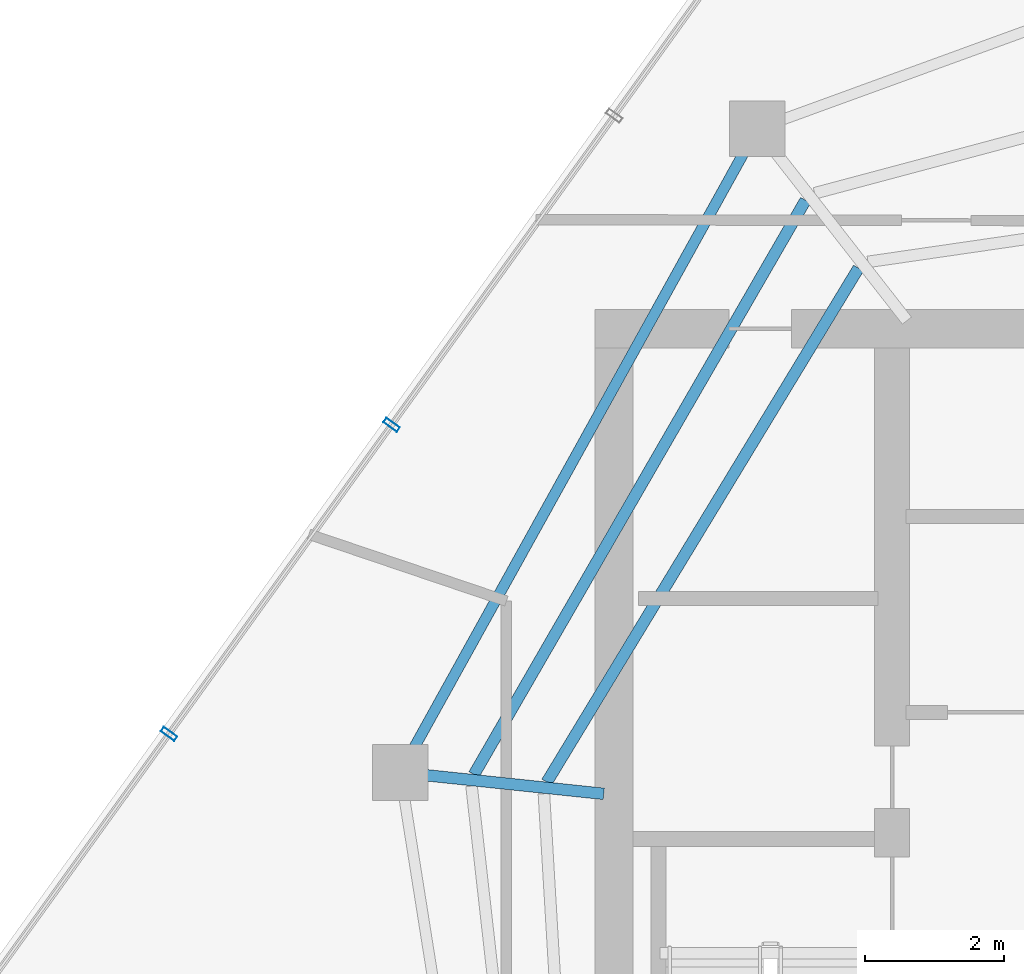
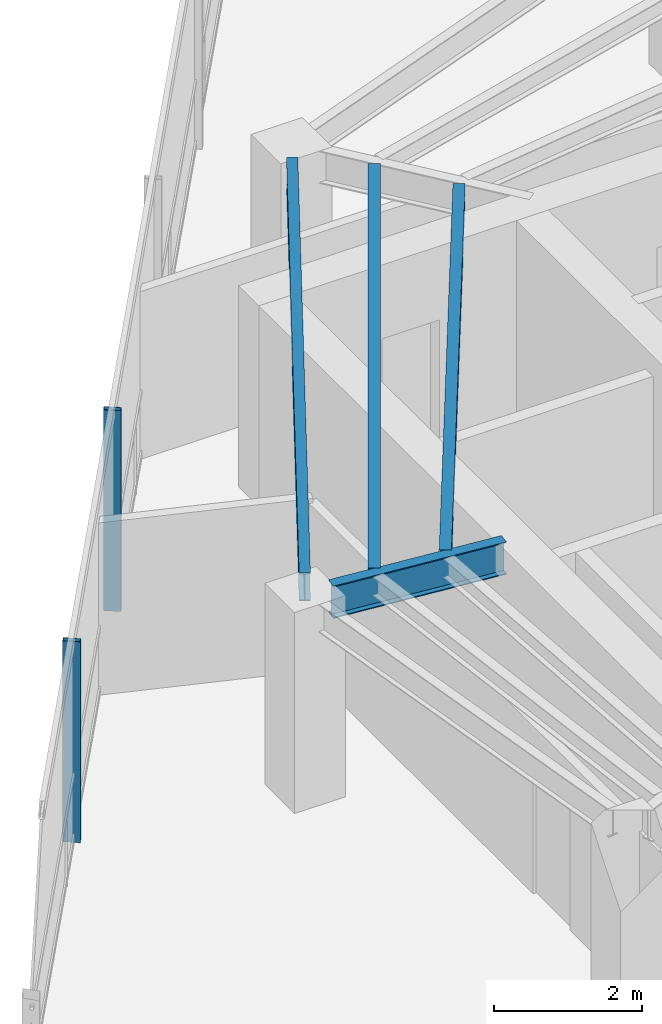
# One storey, part 6 of 18: 4 beams, 2 members, 1 element without a shape of its own.
"""IFC4 building model written with IfcOpenShell, lengths in metres."""

from ifc_helpers import new_model, si_unit, direction, frame, origin, origin_2d, place, context, subcontext, project, spatial, hollow_rectangle, i_section, extrude, material, layer, layer_set, material_profile, profile_set, type_object, element, aggregate, save


model = new_model("IFC4")

# Units and contexts
model_context = context("Model", 3, precision=1e-05, world=origin(), true_north=direction((0.0, 1.0)))
body_context = subcontext(model_context, "Body", "Model", "MODEL_VIEW")
ifc_project = project(units=[si_unit("LENGTHUNIT", "METRE"), si_unit("AREAUNIT", "SQUARE_METRE"), si_unit("VOLUMEUNIT", "CUBIC_METRE"), si_unit("PLANEANGLEUNIT", "RADIAN"), si_unit("MASSUNIT", "GRAM", prefix="KILO")], contexts=[model_context])

# Site, building, storey
site_placement = place(None, origin())
site = spatial("IfcSite", under=ifc_project, at=site_placement, CompositionType="ELEMENT")
building_placement = place(site_placement, origin())
building = spatial("IfcBuilding", under=site, at=building_placement, Name="Qarnah Convention Tower", CompositionType="ELEMENT")
storey_placement = place(building_placement, frame((0.0, 0.0, 271.5)))
storey = spatial("IfcBuildingStorey", under=building, at=storey_placement, Name="L73", CompositionType="ELEMENT", Elevation=271.5)

# Beams
ifc_material_1 = material(Name="Structural steel S355JR", Category="steel")
ifc_material_profile_1 = material_profile(ifc_material_1, i_section(OverallWidth=0.166015625, OverallDepth=0.31201171875, WebThickness=0.007080078125, FlangeThickness=0.010986328125, at=origin_2d()), Name="W310X45")
ifc_profile_set_1 = profile_set([ifc_material_profile_1], Name="Structural steel S355JR")
beam_type_1 = type_object("IfcBeamType", Name="BM-JST-W310", PredefinedType="JOIST", material=ifc_profile_set_1)
beam_1_placement = place(storey_placement, frame((29.554931640625, 36.050048828125, 3.1640625), z_axis=(-0.500030323517, -0.866007895786, 0.0), x_axis=(0.866007895786, -0.500030323517, 0.0)))
element("IfcBeam", 1, at=beam_1_placement, inside=storey, type_object=beam_type_1, Name="L73 joist BM-L73-SJST-04", PredefinedType="JOIST", context=body_context, shape_type="SweptSolid", body=[
    extrude(i_section(OverallWidth=0.166015625, OverallDepth=0.31201171875, WebThickness=0.007080078125, FlangeThickness=0.010986328125, at=origin_2d()), origin(), (0.0, 0.0, 1.0), 9.54150390625),
])
beam_2_placement = place(storey_placement, frame((30.31689453125, 35.072998046875, 3.1640625), z_axis=(-0.518508134219, -0.855072695593, 0.0), x_axis=(0.855072695593, -0.518508134219, 0.0)))
element("IfcBeam", 2, at=beam_2_placement, inside=storey, type_object=beam_type_1, Name="L73 joist BM-L73-IJST-04", PredefinedType="JOIST", context=body_context, shape_type="SweptSolid", body=[
    extrude(i_section(OverallWidth=0.166015625, OverallDepth=0.31201171875, WebThickness=0.007080078125, FlangeThickness=0.010986328125, at=origin_2d()), origin(), (0.0, 0.0, 1.0), 8.649658203125),
])
ifc_material_profile_2 = material_profile(ifc_material_1, i_section(OverallWidth=0.166015625, OverallDepth=0.535888671875, WebThickness=0.010009765625, FlangeThickness=0.01708984375, at=origin_2d()), Name="W530X85")
ifc_profile_set_2 = profile_set([ifc_material_profile_2], Name="Structural steel S355JR")
beam_type_2 = type_object("IfcBeamType", Name="BM-RAD-W530B", PredefinedType="BEAM", material=ifc_profile_set_2)
beam_3_placement = place(storey_placement, frame((26.65087890625, 27.509033203125, 3.052001953125), z_axis=(-0.994564280912, 0.104124402207, 0.0), x_axis=(-0.104124402207, -0.994564280912, 0.0)))
element("IfcBeam", 3, at=beam_3_placement, inside=storey, type_object=beam_type_2, Name="L73 beam BM-L73-RAD-05", PredefinedType="BEAM", context=body_context, shape_type="SweptSolid", body=[
    extrude(i_section(OverallWidth=0.166015625, OverallDepth=0.535888671875, WebThickness=0.010009765625, FlangeThickness=0.01708984375, at=origin_2d()), origin(), (0.0, 0.0, 1.0), 2.562744140625),
])
ifc_material_profile_3 = material_profile(ifc_material_1, i_section(OverallWidth=0.154052734375, OverallDepth=0.4599609375, WebThickness=0.009033203125, FlangeThickness=0.014892578125, at=origin_2d()), Name="W460X68")
ifc_profile_set_3 = profile_set([ifc_material_profile_3], Name="Structural steel S355JR")
beam_type_3 = type_object("IfcBeamType", Name="BM-SPN-W460B", PredefinedType="SPANDREL", material=ifc_profile_set_3)
beam_4_placement = place(storey_placement, frame((28.6689453125, 36.737060546875, 3.090087890625), z_axis=(-0.48479748752, -0.87462643231, 0.0), x_axis=(0.87462643231, -0.48479748752, 0.0)))
element("IfcBeam", 4, at=beam_4_placement, inside=storey, type_object=beam_type_3, Name="L73 spandrel BM-L73-SPN-04", PredefinedType="SPANDREL", context=body_context, shape_type="SweptSolid", body=[
    extrude(i_section(OverallWidth=0.154052734375, OverallDepth=0.4599609375, WebThickness=0.009033203125, FlangeThickness=0.014892578125, at=origin_2d()), origin(), (0.0, 0.0, 1.0), 9.81005859375),
])

# Curtain wall, members
ifc_material_2 = material(Name="Tempered Low-E dark glass", Category="glass")
ifc_layer = layer(ifc_material_2, 0.176025390625)
ifc_layer_set = layer_set([ifc_layer], Name="Tempered Low-E dark glass")
curtain_wall_type = type_object("IfcCurtainWallType", Name="CWS-05", PredefinedType="NOTDEFINED", material=ifc_layer_set)
curtain_wall_placement = place(storey_placement, origin())
curtain_wall = element("IfcCurtainWall", 5, at=curtain_wall_placement, inside=storey, type_object=curtain_wall_type, Name="L73 unitised curtain wall CW-L73-F1", PredefinedType="NOTDEFINED")
ifc_material_3 = material(Name="Black anodised aluminium", Category="aluminium")
ifc_material_profile_4 = material_profile(ifc_material_3, hollow_rectangle(XDim=0.080078125, YDim=0.239990234375, WallThickness=0.0048828125, at=origin_2d()), Name="MUL-80X240")
ifc_profile_set_4 = profile_set([ifc_material_profile_4], Name="Black anodised aluminium")
member_type = type_object("IfcMemberType", Name="MUL-T5", PredefinedType="MULLION", material=ifc_profile_set_4)
member_1_placement = place(storey_placement, frame((20.39501953125, 28.37060546875, 0.0), z_axis=(0.0, 0.0, 1.0), x_axis=(0.584392195379, 0.811471356229, 0.0)))
member_1 = element("IfcMember", 6, at=member_1_placement, type_object=member_type, Name="CW-L73-F1 mullion 2", PredefinedType="MULLION", context=body_context, shape_type="SweptSolid", body=[
    extrude(hollow_rectangle(XDim=0.080078125, YDim=0.239990234375, WallThickness=0.0048828125, at=origin_2d()), origin(), (0.0, 0.0, 1.0), 3.320068359375),
])
member_2_placement = place(storey_placement, frame((23.597900390625, 32.818115234375, 0.0), z_axis=(0.0, 0.0, 1.0), x_axis=(0.584392195379, 0.811471356229, 0.0)))
member_2 = element("IfcMember", 7, at=member_2_placement, type_object=member_type, Name="CW-L73-F1 mullion 3", PredefinedType="MULLION", context=body_context, shape_type="SweptSolid", body=[
    extrude(hollow_rectangle(XDim=0.080078125, YDim=0.239990234375, WallThickness=0.0048828125, at=origin_2d()), origin(), (0.0, 0.0, 1.0), 3.320068359375),
])
aggregate(curtain_wall, [member_1, member_2])

save(model, "model.ifc")
